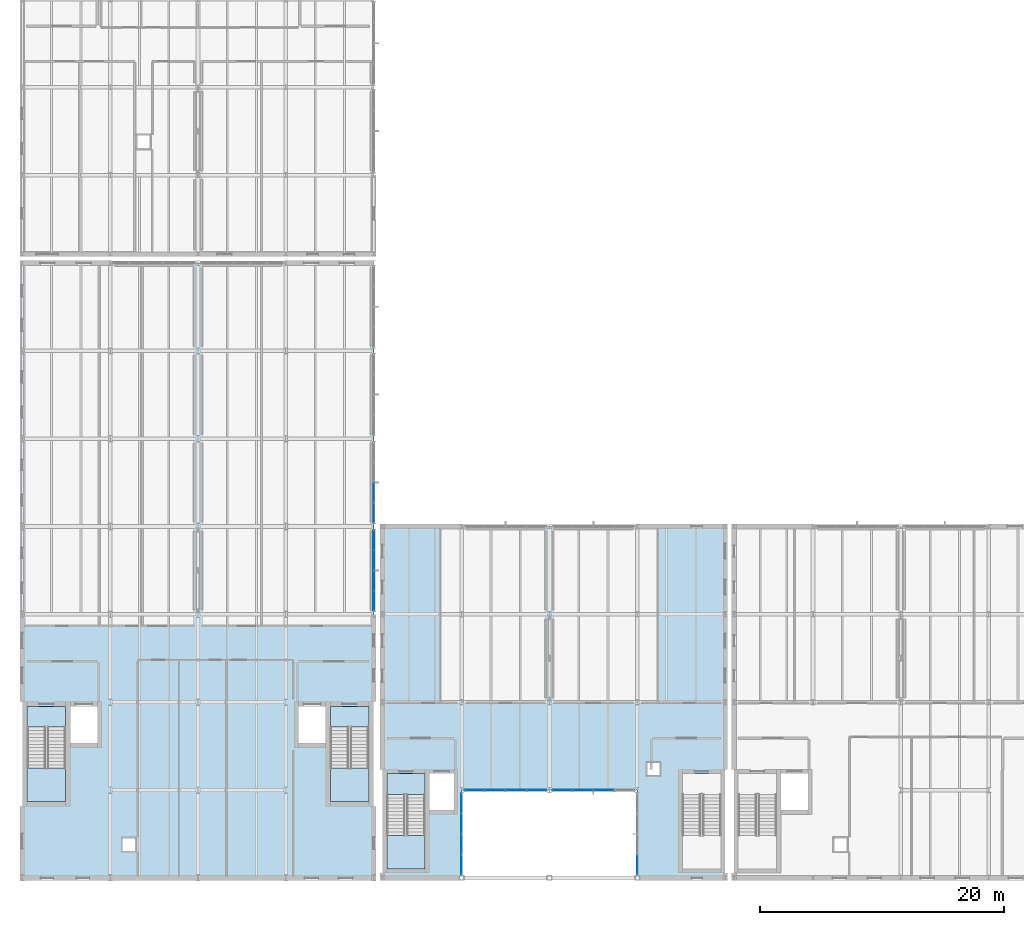
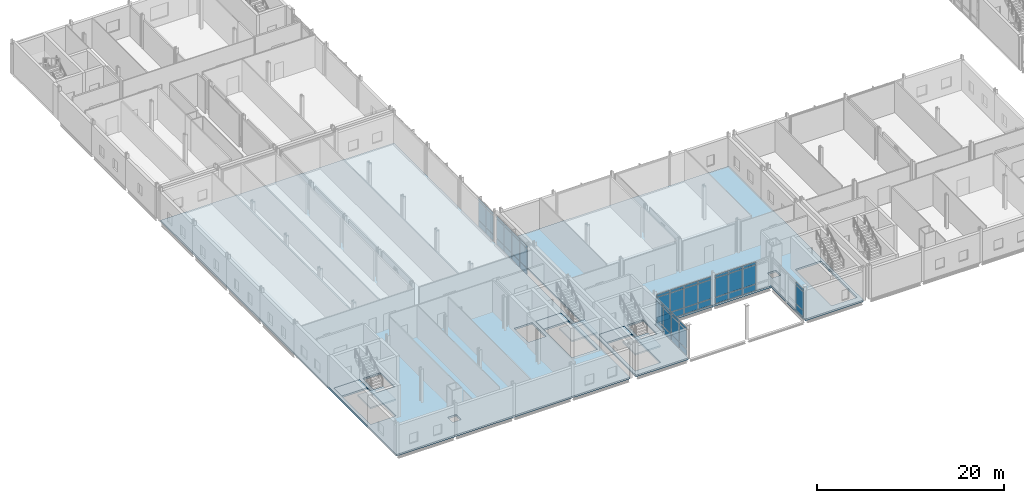
# One storey, part 35 of 76: 54 plates, 8 slabs, 9 elements without a shape of their own.
"""IFC4 building model written with IfcOpenShell, lengths in metres."""

import ifcopenshell
import ifcopenshell.guid

model = None  # the IFC model being written
_history = None  # IfcOwnerHistory: only IFC2X3 demands one
_inside = {}  # id of a spatial element -> (the spatial element, [elements in it])
_under = {}  # id of a project, library or spatial element -> (it, [spatial elements below it])
_declared = {}  # id of a project -> (the project, [libraries it declares])
_typed = {}  # id of a type object -> (the type object, [elements of that type])
_made_of = {}  # id of a material, layer set ... -> (it, [elements and type objects made of it])


def new_model(schema):
    """Start an empty IFC model of exactly this schema.

    Asked for "IFC4X3", IfcOpenShell would pick the latest addendum, in which some entities
    have other attributes; the version numbers below select the first issue.
    IFC2X3 requires an IfcOwnerHistory on every rooted entity: one is made here for all.
    """
    global model, _history
    if schema == "IFC4X3":
        model = ifcopenshell.file(schema_version=(4, 3, 0, 0))
    else:
        model = ifcopenshell.file(schema=schema)
    _inside.clear()
    _under.clear()
    _declared.clear()
    _typed.clear()
    _made_of.clear()
    _history = None
    if model.schema == "IFC2X3":
        org = make("IfcOrganization", Name="unknown")
        user = make(
            "IfcPersonAndOrganization",
            ThePerson=make("IfcPerson", FamilyName="unknown"),
            TheOrganization=org,
        )
        app = make(
            "IfcApplication",
            ApplicationDeveloper=org,
            Version="unknown",
            ApplicationFullName="unknown",
            ApplicationIdentifier="unknown",
        )
        _history = make(
            "IfcOwnerHistory",
            OwningUser=user,
            OwningApplication=app,
            ChangeAction="ADDED",
            CreationDate=0,
        )
    return model


def make(cls, **values):
    """One entity of the class cls with the attributes given. An attribute that is None is left unset."""
    return model.create_entity(
        cls, **{name: value for name, value in values.items() if value is not None}
    )


def rooted(cls, **values):
    """An entity with a GlobalId (a new one), such as an element, a storey or a relation."""
    return make(cls, GlobalId=ifcopenshell.guid.new(), OwnerHistory=_history, **values)


def si_unit(unit_type, name, prefix=None):
    """IfcSIUnit, for example si_unit("LENGTHUNIT", "METRE", prefix="MILLI")."""
    return make("IfcSIUnit", UnitType=unit_type, Prefix=prefix, Name=name)


def assignment(units):
    """IfcUnitAssignment: the units of a project."""
    return None if units is None else make("IfcUnitAssignment", Units=units)


def point(xyz):
    """IfcCartesianPoint."""
    return None if xyz is None else make("IfcCartesianPoint", Coordinates=xyz)


def direction(xyz):
    """IfcDirection."""
    return None if xyz is None else make("IfcDirection", DirectionRatios=xyz)


def frame(location, z_axis=None, x_axis=None):
    """IfcAxis2Placement3D, a coordinate frame: its origin and axes. An axis left out is left unset."""
    return make(
        "IfcAxis2Placement3D",
        Location=point(location),
        Axis=direction(z_axis),
        RefDirection=direction(x_axis),
    )


def frame_2d(location, x_axis=None):
    """IfcAxis2Placement2D, a coordinate frame in the plane: its origin and x axis."""
    return make(
        "IfcAxis2Placement2D", Location=point(location), RefDirection=direction(x_axis)
    )


def origin():
    """The frame at (0, 0, 0) with its axes left unset."""
    return frame((0.0, 0.0, 0.0))


def origin_2d():
    """The frame at (0, 0) in the plane with its x axis left unset."""
    return frame_2d((0.0, 0.0))


def place(relative_to, where):
    """IfcLocalPlacement: puts the frame where relative to a parent placement (None: the world)."""
    return make(
        "IfcLocalPlacement", PlacementRelTo=relative_to, RelativePlacement=where
    )


def context(
    kind, dimensions, precision=None, world=None, true_north=None, identifier=None
):
    """IfcGeometricRepresentationContext, for example the 3D "Model" context."""
    return make(
        "IfcGeometricRepresentationContext",
        ContextIdentifier=identifier,
        ContextType=kind,
        CoordinateSpaceDimension=dimensions,
        Precision=precision,
        WorldCoordinateSystem=world,
        TrueNorth=true_north,
    )


def subcontext(parent, identifier, kind, view, scale=None):
    """IfcGeometricRepresentationSubContext, for example "Body" below "Model"."""
    return make(
        "IfcGeometricRepresentationSubContext",
        ContextIdentifier=identifier,
        ContextType=kind,
        ParentContext=parent,
        TargetScale=scale,
        TargetView=view,
    )


def project(units=None, contexts=None):
    """IfcProject with its units and contexts."""
    return rooted(
        "IfcProject",
        Name="project",
        RepresentationContexts=contexts,
        UnitsInContext=assignment(units),
    )


def spatial(cls, under=None, at=None, **own):
    """A site, building, storey or space (cls), placed at a placement, below another one or the project."""
    s = rooted(cls, ObjectPlacement=at, **own)
    if under is not None:
        _under.setdefault(under.id(), (under, []))[1].append(s)
    return s


def polyline(points):
    """IfcPolyline through the points."""
    return make("IfcPolyline", Points=[point(p) for p in points])


def profile(cls, at=None, kind="AREA", **sizes):
    """A parametric profile (cls). Its sizes go by their IFC names, for example OverallWidth=200.0."""
    return make(cls, ProfileType=kind, Position=at, **sizes)


def rectangle(**sizes):
    """IfcRectangleProfileDef."""
    return profile("IfcRectangleProfileDef", **sizes)


def outline(outer, holes=None, kind="AREA"):
    """IfcArbitraryClosedProfileDef: a profile drawn as a closed curve; with holes, ...WithVoids."""
    if holes is None:
        return make("IfcArbitraryClosedProfileDef", ProfileType=kind, OuterCurve=outer)
    return make(
        "IfcArbitraryProfileDefWithVoids",
        ProfileType=kind,
        OuterCurve=outer,
        InnerCurves=holes,
    )


def extrude(swept, where, along, depth):
    """IfcExtrudedAreaSolid: the profile swept, set in the frame where, extruded along a direction by depth."""
    return make(
        "IfcExtrudedAreaSolid",
        SweptArea=swept,
        Position=where,
        ExtrudedDirection=direction(along),
        Depth=depth,
    )


def shape(context_of_items, identifier, shape_type, items):
    """IfcShapeRepresentation: the items that make up one representation, for example the "Body"."""
    return make(
        "IfcShapeRepresentation",
        ContextOfItems=context_of_items,
        RepresentationIdentifier=identifier,
        RepresentationType=shape_type,
        Items=items,
    )


def material(Name=None, Category=None):
    """IfcMaterial."""
    return make("IfcMaterial", Name=Name, Category=Category)


def layer(
    of_material, thickness, ventilated=None, Name=None, Category=None, Priority=None
):
    """IfcMaterialLayer: one layer of a wall or slab, of a material (None: an air gap)."""
    return make(
        "IfcMaterialLayer",
        Material=of_material,
        LayerThickness=thickness,
        IsVentilated=ventilated,
        Name=Name,
        Category=Category,
        Priority=Priority,
    )


def layer_set(layers, Name=None):
    """IfcMaterialLayerSet."""
    return make("IfcMaterialLayerSet", MaterialLayers=layers, LayerSetName=Name)


def made_of(thing, what):
    """Note that an element or type object is made of a material, layer set ...; save() writes the relation."""
    if what is not None:
        _made_of.setdefault(what.id(), (what, []))[1].append(thing)
    return thing


def type_object(cls, material=None, **own):
    """A type object (cls), such as IfcWallType, which elements share."""
    return made_of(rooted(cls, **own), material)


def element(
    cls,
    number,
    at=None,
    inside=None,
    cuts=None,
    type_object=None,
    material=None,
    context=None,
    identifier="Body",
    shape_type=None,
    held_by="IfcProductDefinitionShape",
    body=None,
    shapes=None,
    **own,
):
    """One element of the class cls, such as IfcWall. Its Tag is "e" and its number.

    at: its placement. inside: the storey or other place that contains it. cuts: it is an
    opening in that element (IfcRelVoidsElement). A single representation is given by context,
    identifier, shape_type and body (its items); several are given by shapes. held_by: the class
    of the entity that holds the representations. save() writes the other relations.
    """
    e = rooted(cls, Tag="e%d" % number, ObjectPlacement=at, **own)
    if body is not None:
        shapes = [shape(context, identifier, shape_type, body)]
    if shapes is not None:
        e.Representation = make(held_by, Representations=shapes)
    if inside is not None:
        _inside.setdefault(inside.id(), (inside, []))[1].append(e)
    if cuts is not None:
        rooted(
            "IfcRelVoidsElement", RelatingBuildingElement=cuts, RelatedOpeningElement=e
        )
    if type_object is not None:
        _typed.setdefault(type_object.id(), (type_object, []))[1].append(e)
    return made_of(e, material)


def aggregate(whole, parts):
    """IfcRelAggregates: a whole, such as a stair, and the parts it consists of."""
    return rooted("IfcRelAggregates", RelatingObject=whole, RelatedObjects=parts)


def save(model, path):
    """Write the relations noted so far, then the file.

    IfcRelAggregates (storeys below a building ...), IfcRelContainedInSpatialStructure (elements
    in a storey), IfcRelDefinesByType, IfcRelAssociatesMaterial and IfcRelDeclares: one each for
    every whole, place, type object, material and project.
    """
    for whole, parts in _under.values():
        aggregate(whole, parts)
    for where, things in _inside.values():
        rooted(
            "IfcRelContainedInSpatialStructure",
            RelatedElements=things,
            RelatingStructure=where,
        )
    for kind, things in _typed.values():
        rooted("IfcRelDefinesByType", RelatedObjects=things, RelatingType=kind)
    for what, things in _made_of.values():
        rooted("IfcRelAssociatesMaterial", RelatedObjects=things, RelatingMaterial=what)
    for by, libraries in _declared.values():
        rooted("IfcRelDeclares", RelatingContext=by, RelatedDefinitions=libraries)
    model.write(path)


model = new_model("IFC4")

# Units and contexts
model_context = context("Model", 3, precision=1e-05, world=origin(), true_north=direction((0.0, 1.0)))
body_context = subcontext(model_context, "Body", "Model", "MODEL_VIEW")
ifc_project = project(units=[si_unit("LENGTHUNIT", "METRE"), si_unit("AREAUNIT", "SQUARE_METRE"), si_unit("VOLUMEUNIT", "CUBIC_METRE"), si_unit("PLANEANGLEUNIT", "RADIAN"), si_unit("MASSUNIT", "GRAM", prefix="KILO")], contexts=[model_context])

# Site, building, storey
site_placement = place(None, origin())
site = spatial("IfcSite", under=ifc_project, at=site_placement, CompositionType="ELEMENT")
building_placement = place(site_placement, origin())
building = spatial("IfcBuilding", under=site, at=building_placement, Name="Zarrinpeak Specialist Clinic", CompositionType="ELEMENT")
storey_placement = place(building_placement, frame((0.0, 0.0, 5.199951171875)))
storey = spatial("IfcBuildingStorey", under=building, at=storey_placement, Name="L01", CompositionType="ELEMENT", Elevation=5.199951171875)

# Curtain wall, plates
ifc_material_1 = material(Name="Anodised Aluminium Alloy 6063-T6", Category="aluminium")
ifc_layer_1 = layer(ifc_material_1, 0.179931640625)
ifc_layer_set_1 = layer_set([ifc_layer_1], Name="Anodised Aluminium Alloy 6063-T6")
curtain_wall_type_1 = type_object("IfcCurtainWallType", Name="CW-COURT", PredefinedType="NOTDEFINED", material=ifc_layer_set_1)
curtain_wall_1_placement = place(storey_placement, origin())
curtain_wall_1 = element("IfcCurtainWall", 1, at=curtain_wall_1_placement, inside=storey, type_object=curtain_wall_type_1, Name="L01 V1 Unitised Curtain Wall CW-L01-V1-010", PredefinedType="NOTDEFINED")
ifc_material_2 = material(Name="Double Low-E Insulated Glazing", Category="glass")
ifc_layer_2 = layer(ifc_material_2, 0.028076171875)
ifc_layer_set_2 = layer_set([ifc_layer_2], Name="Double Low-E Insulated Glazing")
plate_type_1 = type_object("IfcPlateType", Name="CWP-GLZ28", PredefinedType="CURTAIN_PANEL", material=ifc_layer_set_2)
plate_1_placement = place(storey_placement, frame((28.800048828125, 29.925048828125, 0.074951171875), z_axis=(0.0, 0.0, 1.0), x_axis=(0.0, 1.0, 0.0)))
plate_1 = element("IfcPlate", 2, at=plate_1_placement, type_object=plate_type_1, Name="CW-01 panel 1.1", PredefinedType="CURTAIN_PANEL", context=body_context, shape_type="SweptSolid", body=[
    extrude(rectangle(XDim=1.550048828125, YDim=0.028076171875, at=origin_2d()), origin(), (0.0, 0.0, 1.0), 0.78759765625),
])
plate_2_placement = place(storey_placement, frame((28.800048828125, 29.925048828125, 0.9375), z_axis=(0.0, 0.0, 1.0), x_axis=(0.0, 1.0, 0.0)))
plate_2 = element("IfcPlate", 3, at=plate_2_placement, type_object=plate_type_1, Name="CW-01 panel 1.2", PredefinedType="CURTAIN_PANEL", context=body_context, shape_type="SweptSolid", body=[
    extrude(rectangle(XDim=1.550048828125, YDim=0.028076171875, at=origin_2d()), origin(), (0.0, 0.0, 1.0), 2.385009765625),
])
plate_3_placement = place(storey_placement, frame((28.800048828125, 29.925048828125, 3.397705078125), z_axis=(0.0, 0.0, 1.0), x_axis=(0.0, 1.0, 0.0)))
plate_3 = element("IfcPlate", 4, at=plate_3_placement, type_object=plate_type_1, Name="CW-01 panel 1.3", PredefinedType="CURTAIN_PANEL", context=body_context, shape_type="SweptSolid", body=[
    extrude(rectangle(XDim=1.550048828125, YDim=0.028076171875, at=origin_2d()), origin(), (0.0, 0.0, 1.0), 0.33740234375),
])
plate_4_placement = place(storey_placement, frame((28.800048828125, 31.56884765625, 0.074951171875), z_axis=(0.0, 0.0, 1.0), x_axis=(0.0, 1.0, 0.0)))
plate_4 = element("IfcPlate", 5, at=plate_4_placement, type_object=plate_type_1, Name="CW-01 panel 2.1", PredefinedType="CURTAIN_PANEL", context=body_context, shape_type="SweptSolid", body=[
    extrude(rectangle(XDim=1.58740234375, YDim=0.028076171875, at=origin_2d()), origin(), (0.0, 0.0, 1.0), 0.78759765625),
])
plate_5_placement = place(storey_placement, frame((28.800048828125, 31.56884765625, 0.9375), z_axis=(0.0, 0.0, 1.0), x_axis=(0.0, 1.0, 0.0)))
plate_5 = element("IfcPlate", 6, at=plate_5_placement, type_object=plate_type_1, Name="CW-01 panel 2.2", PredefinedType="CURTAIN_PANEL", context=body_context, shape_type="SweptSolid", body=[
    extrude(rectangle(XDim=1.58740234375, YDim=0.028076171875, at=origin_2d()), origin(), (0.0, 0.0, 1.0), 2.385009765625),
])
plate_6_placement = place(storey_placement, frame((28.800048828125, 31.56884765625, 3.397705078125), z_axis=(0.0, 0.0, 1.0), x_axis=(0.0, 1.0, 0.0)))
plate_6 = element("IfcPlate", 7, at=plate_6_placement, type_object=plate_type_1, Name="CW-01 panel 2.3", PredefinedType="CURTAIN_PANEL", context=body_context, shape_type="SweptSolid", body=[
    extrude(rectangle(XDim=1.58740234375, YDim=0.028076171875, at=origin_2d()), origin(), (0.0, 0.0, 1.0), 0.33740234375),
])
aggregate(curtain_wall_1, [plate_1, plate_2, plate_3, plate_4, plate_5, plate_6])

ifc_layer_3 = layer(ifc_material_1, 0.18994140625)
ifc_layer_set_3 = layer_set([ifc_layer_3], Name="Anodised Aluminium Alloy 6063-T6")
curtain_wall_type_2 = type_object("IfcCurtainWallType", Name="CW-LOGGIA", PredefinedType="NOTDEFINED", material=ifc_layer_set_3)
curtain_wall_2_placement = place(storey_placement, origin())
curtain_wall_2 = element("IfcCurtainWall", 8, at=curtain_wall_2_placement, inside=storey, type_object=curtain_wall_type_2, Name="L01 V2 Unitised Curtain Wall CW-L01-V2-046", PredefinedType="NOTDEFINED")
plate_7_placement = place(storey_placement, frame((44.253662109375, 7.199951171875, 0.09033203125), z_axis=(0.0, 0.0, 1.0), x_axis=(1.0, 0.0, 0.0)))
plate_7 = element("IfcPlate", 9, at=plate_7_placement, type_object=plate_type_1, Name="CW-04 panel 1.1", PredefinedType="CURTAIN_PANEL", context=body_context, shape_type="SweptSolid", body=[
    extrude(rectangle(XDim=1.577392578125, YDim=0.028076171875, at=origin_2d()), origin(), (0.0, 0.0, 1.0), 0.764892578125),
])
plate_8_placement = place(storey_placement, frame((44.253662109375, 7.199951171875, 0.945068359375), z_axis=(0.0, 0.0, 1.0), x_axis=(1.0, 0.0, 0.0)))
plate_8 = element("IfcPlate", 10, at=plate_8_placement, type_object=plate_type_1, Name="CW-04 panel 1.2", PredefinedType="CURTAIN_PANEL", context=body_context, shape_type="SweptSolid", body=[
    extrude(rectangle(XDim=1.577392578125, YDim=0.028076171875, at=origin_2d()), origin(), (0.0, 0.0, 1.0), 2.43994140625),
])
plate_9_placement = place(storey_placement, frame((44.253662109375, 7.199951171875, 3.47509765625), z_axis=(0.0, 0.0, 1.0), x_axis=(1.0, 0.0, 0.0)))
plate_9 = element("IfcPlate", 11, at=plate_9_placement, type_object=plate_type_1, Name="CW-04 panel 1.3", PredefinedType="CURTAIN_PANEL", context=body_context, shape_type="SweptSolid", body=[
    extrude(rectangle(XDim=1.577392578125, YDim=0.028076171875, at=origin_2d()), origin(), (0.0, 0.0, 1.0), 0.31494140625),
])
plate_10_placement = place(storey_placement, frame((45.94384765625, 7.199951171875, 0.09033203125), z_axis=(0.0, 0.0, 1.0), x_axis=(1.0, 0.0, 0.0)))
plate_10 = element("IfcPlate", 12, at=plate_10_placement, type_object=plate_type_1, Name="CW-04 panel 2.1", PredefinedType="CURTAIN_PANEL", context=body_context, shape_type="SweptSolid", body=[
    extrude(rectangle(XDim=1.62255859375, YDim=0.028076171875, at=origin_2d()), origin(), (0.0, 0.0, 1.0), 0.764892578125),
])
plate_11_placement = place(storey_placement, frame((45.94384765625, 7.199951171875, 0.945068359375), z_axis=(0.0, 0.0, 1.0), x_axis=(1.0, 0.0, 0.0)))
plate_11 = element("IfcPlate", 13, at=plate_11_placement, type_object=plate_type_1, Name="CW-04 panel 2.2", PredefinedType="CURTAIN_PANEL", context=body_context, shape_type="SweptSolid", body=[
    extrude(rectangle(XDim=1.62255859375, YDim=0.028076171875, at=origin_2d()), origin(), (0.0, 0.0, 1.0), 2.43994140625),
])
plate_12_placement = place(storey_placement, frame((45.94384765625, 7.199951171875, 3.47509765625), z_axis=(0.0, 0.0, 1.0), x_axis=(1.0, 0.0, 0.0)))
plate_12 = element("IfcPlate", 14, at=plate_12_placement, type_object=plate_type_1, Name="CW-04 panel 2.3", PredefinedType="CURTAIN_PANEL", context=body_context, shape_type="SweptSolid", body=[
    extrude(rectangle(XDim=1.62255859375, YDim=0.028076171875, at=origin_2d()), origin(), (0.0, 0.0, 1.0), 0.31494140625),
])
plate_13_placement = place(storey_placement, frame((47.65625, 7.199951171875, 0.09033203125), z_axis=(0.0, 0.0, 1.0), x_axis=(1.0, 0.0, 0.0)))
plate_13 = element("IfcPlate", 15, at=plate_13_placement, type_object=plate_type_1, Name="CW-04 panel 3.1", PredefinedType="CURTAIN_PANEL", context=body_context, shape_type="SweptSolid", body=[
    extrude(rectangle(XDim=1.62255859375, YDim=0.028076171875, at=origin_2d()), origin(), (0.0, 0.0, 1.0), 0.764892578125),
])
plate_14_placement = place(storey_placement, frame((47.65625, 7.199951171875, 0.945068359375), z_axis=(0.0, 0.0, 1.0), x_axis=(1.0, 0.0, 0.0)))
plate_14 = element("IfcPlate", 16, at=plate_14_placement, type_object=plate_type_1, Name="CW-04 panel 3.2", PredefinedType="CURTAIN_PANEL", context=body_context, shape_type="SweptSolid", body=[
    extrude(rectangle(XDim=1.62255859375, YDim=0.028076171875, at=origin_2d()), origin(), (0.0, 0.0, 1.0), 2.43994140625),
])
plate_15_placement = place(storey_placement, frame((47.65625, 7.199951171875, 3.47509765625), z_axis=(0.0, 0.0, 1.0), x_axis=(1.0, 0.0, 0.0)))
plate_15 = element("IfcPlate", 17, at=plate_15_placement, type_object=plate_type_1, Name="CW-04 panel 3.3", PredefinedType="CURTAIN_PANEL", context=body_context, shape_type="SweptSolid", body=[
    extrude(rectangle(XDim=1.62255859375, YDim=0.028076171875, at=origin_2d()), origin(), (0.0, 0.0, 1.0), 0.31494140625),
])
aggregate(curtain_wall_2, [plate_7, plate_8, plate_9, plate_10, plate_11, plate_12, plate_13, plate_14, plate_15])

curtain_wall_3_placement = place(storey_placement, origin())
curtain_wall_3 = element("IfcCurtainWall", 18, at=curtain_wall_3_placement, inside=storey, type_object=curtain_wall_type_2, Name="L01 V2 Unitised Curtain Wall CW-L01-V2-047", PredefinedType="NOTDEFINED")
plate_16_placement = place(storey_placement, frame((36.0, 1.093994140625, 0.09033203125), z_axis=(0.0, 0.0, 1.0), x_axis=(0.0, 1.0, 0.0)))
plate_16 = element("IfcPlate", 19, at=plate_16_placement, type_object=plate_type_1, Name="CW-04 panel 1.1", PredefinedType="CURTAIN_PANEL", context=body_context, shape_type="SweptSolid", body=[
    extrude(rectangle(XDim=1.5517578125, YDim=0.028076171875, at=origin_2d()), origin(), (0.0, 0.0, 1.0), 0.764892578125),
])
plate_17_placement = place(storey_placement, frame((36.0, 1.093994140625, 0.945068359375), z_axis=(0.0, 0.0, 1.0), x_axis=(0.0, 1.0, 0.0)))
plate_17 = element("IfcPlate", 20, at=plate_17_placement, type_object=plate_type_1, Name="CW-04 panel 1.2", PredefinedType="CURTAIN_PANEL", context=body_context, shape_type="SweptSolid", body=[
    extrude(rectangle(XDim=1.5517578125, YDim=0.028076171875, at=origin_2d()), origin(), (0.0, 0.0, 1.0), 2.3701171875),
])
plate_18_placement = place(storey_placement, frame((36.0, 1.093994140625, 3.405029296875), z_axis=(0.0, 0.0, 1.0), x_axis=(0.0, 1.0, 0.0)))
plate_18 = element("IfcPlate", 21, at=plate_18_placement, type_object=plate_type_1, Name="CW-04 panel 1.3", PredefinedType="CURTAIN_PANEL", context=body_context, shape_type="SweptSolid", body=[
    extrude(rectangle(XDim=1.5517578125, YDim=0.028076171875, at=origin_2d()), origin(), (0.0, 0.0, 1.0), 0.31494140625),
])
plate_19_placement = place(storey_placement, frame((36.0, 2.75830078125, 0.09033203125), z_axis=(0.0, 0.0, 1.0), x_axis=(0.0, 1.0, 0.0)))
plate_19 = element("IfcPlate", 22, at=plate_19_placement, type_object=plate_type_1, Name="CW-04 panel 2.1", PredefinedType="CURTAIN_PANEL", context=body_context, shape_type="SweptSolid", body=[
    extrude(rectangle(XDim=1.5966796875, YDim=0.028076171875, at=origin_2d()), origin(), (0.0, 0.0, 1.0), 0.764892578125),
])
plate_20_placement = place(storey_placement, frame((36.0, 2.75830078125, 0.945068359375), z_axis=(0.0, 0.0, 1.0), x_axis=(0.0, 1.0, 0.0)))
plate_20 = element("IfcPlate", 23, at=plate_20_placement, type_object=plate_type_1, Name="CW-04 panel 2.2", PredefinedType="CURTAIN_PANEL", context=body_context, shape_type="SweptSolid", body=[
    extrude(rectangle(XDim=1.5966796875, YDim=0.028076171875, at=origin_2d()), origin(), (0.0, 0.0, 1.0), 2.3701171875),
])
plate_21_placement = place(storey_placement, frame((36.0, 2.75830078125, 3.405029296875), z_axis=(0.0, 0.0, 1.0), x_axis=(0.0, 1.0, 0.0)))
plate_21 = element("IfcPlate", 24, at=plate_21_placement, type_object=plate_type_1, Name="CW-04 panel 2.3", PredefinedType="CURTAIN_PANEL", context=body_context, shape_type="SweptSolid", body=[
    extrude(rectangle(XDim=1.5966796875, YDim=0.028076171875, at=origin_2d()), origin(), (0.0, 0.0, 1.0), 0.31494140625),
])
plate_22_placement = place(storey_placement, frame((36.0, 4.445068359375, 0.09033203125), z_axis=(0.0, 0.0, 1.0), x_axis=(0.0, 1.0, 0.0)))
plate_22 = element("IfcPlate", 25, at=plate_22_placement, type_object=plate_type_1, Name="CW-04 panel 3.1", PredefinedType="CURTAIN_PANEL", context=body_context, shape_type="SweptSolid", body=[
    extrude(rectangle(XDim=1.5966796875, YDim=0.028076171875, at=origin_2d()), origin(), (0.0, 0.0, 1.0), 0.764892578125),
])
plate_23_placement = place(storey_placement, frame((36.0, 4.445068359375, 0.945068359375), z_axis=(0.0, 0.0, 1.0), x_axis=(0.0, 1.0, 0.0)))
plate_23 = element("IfcPlate", 26, at=plate_23_placement, type_object=plate_type_1, Name="CW-04 panel 3.2", PredefinedType="CURTAIN_PANEL", context=body_context, shape_type="SweptSolid", body=[
    extrude(rectangle(XDim=1.5966796875, YDim=0.028076171875, at=origin_2d()), origin(), (0.0, 0.0, 1.0), 2.3701171875),
])
plate_24_placement = place(storey_placement, frame((36.0, 4.445068359375, 3.405029296875), z_axis=(0.0, 0.0, 1.0), x_axis=(0.0, 1.0, 0.0)))
plate_24 = element("IfcPlate", 27, at=plate_24_placement, type_object=plate_type_1, Name="CW-04 panel 3.3", PredefinedType="CURTAIN_PANEL", context=body_context, shape_type="SweptSolid", body=[
    extrude(rectangle(XDim=1.5966796875, YDim=0.028076171875, at=origin_2d()), origin(), (0.0, 0.0, 1.0), 0.31494140625),
])
plate_25_placement = place(storey_placement, frame((36.0, 6.109130859375, 0.09033203125), z_axis=(0.0, 0.0, 1.0), x_axis=(0.0, 1.0, 0.0)))
plate_25 = element("IfcPlate", 28, at=plate_25_placement, type_object=plate_type_1, Name="CW-04 panel 4.1", PredefinedType="CURTAIN_PANEL", context=body_context, shape_type="SweptSolid", body=[
    extrude(rectangle(XDim=1.5517578125, YDim=0.028076171875, at=origin_2d()), origin(), (0.0, 0.0, 1.0), 0.764892578125),
])
plate_26_placement = place(storey_placement, frame((36.0, 6.109130859375, 0.945068359375), z_axis=(0.0, 0.0, 1.0), x_axis=(0.0, 1.0, 0.0)))
plate_26 = element("IfcPlate", 29, at=plate_26_placement, type_object=plate_type_1, Name="CW-04 panel 4.2", PredefinedType="CURTAIN_PANEL", context=body_context, shape_type="SweptSolid", body=[
    extrude(rectangle(XDim=1.5517578125, YDim=0.028076171875, at=origin_2d()), origin(), (0.0, 0.0, 1.0), 2.3701171875),
])
plate_27_placement = place(storey_placement, frame((36.0, 6.109130859375, 3.405029296875), z_axis=(0.0, 0.0, 1.0), x_axis=(0.0, 1.0, 0.0)))
plate_27 = element("IfcPlate", 30, at=plate_27_placement, type_object=plate_type_1, Name="CW-04 panel 4.3", PredefinedType="CURTAIN_PANEL", context=body_context, shape_type="SweptSolid", body=[
    extrude(rectangle(XDim=1.5517578125, YDim=0.028076171875, at=origin_2d()), origin(), (0.0, 0.0, 1.0), 0.31494140625),
])
aggregate(curtain_wall_3, [plate_16, plate_17, plate_18, plate_19, plate_20, plate_21, plate_22, plate_23, plate_24, plate_25, plate_26, plate_27])

curtain_wall_4_placement = place(storey_placement, origin())
curtain_wall_4 = element("IfcCurtainWall", 31, at=curtain_wall_4_placement, inside=storey, type_object=curtain_wall_type_2, Name="L01 V2 Unitised Curtain Wall CW-L01-V2-048", PredefinedType="NOTDEFINED")
plate_28_placement = place(storey_placement, frame((50.39990234375, 1.093994140625, 0.09033203125), z_axis=(0.0, 0.0, 1.0), x_axis=(0.0, -1.0, 0.0)))
plate_28 = element("IfcPlate", 32, at=plate_28_placement, type_object=plate_type_1, Name="CW-04 panel 4.1", PredefinedType="CURTAIN_PANEL", context=body_context, shape_type="SweptSolid", body=[
    extrude(rectangle(XDim=1.5517578125, YDim=0.028076171875, at=origin_2d()), origin(), (0.0, 0.0, 1.0), 0.764892578125),
])
plate_29_placement = place(storey_placement, frame((50.39990234375, 1.093994140625, 0.945068359375), z_axis=(0.0, 0.0, 1.0), x_axis=(0.0, -1.0, 0.0)))
plate_29 = element("IfcPlate", 33, at=plate_29_placement, type_object=plate_type_1, Name="CW-04 panel 4.2", PredefinedType="CURTAIN_PANEL", context=body_context, shape_type="SweptSolid", body=[
    extrude(rectangle(XDim=1.5517578125, YDim=0.028076171875, at=origin_2d()), origin(), (0.0, 0.0, 1.0), 2.3701171875),
])
plate_30_placement = place(storey_placement, frame((50.39990234375, 1.093994140625, 3.405029296875), z_axis=(0.0, 0.0, 1.0), x_axis=(0.0, -1.0, 0.0)))
plate_30 = element("IfcPlate", 34, at=plate_30_placement, type_object=plate_type_1, Name="CW-04 panel 4.3", PredefinedType="CURTAIN_PANEL", context=body_context, shape_type="SweptSolid", body=[
    extrude(rectangle(XDim=1.5517578125, YDim=0.028076171875, at=origin_2d()), origin(), (0.0, 0.0, 1.0), 0.31494140625),
])
aggregate(curtain_wall_4, [plate_28, plate_29, plate_30])

curtain_wall_5_placement = place(storey_placement, origin())
curtain_wall_5 = element("IfcCurtainWall", 35, at=curtain_wall_5_placement, inside=storey, type_object=curtain_wall_type_1, Name="L01 V1 Unitised Curtain Wall CW-L01-V1-009", PredefinedType="NOTDEFINED")
ifc_material_3 = material(Name="Insulated Aluminium Spandrel Panel", Category="aluminium")
ifc_layer_4 = layer(ifc_material_3, 0.044921875)
ifc_layer_set_4 = layer_set([ifc_layer_4], Name="Insulated Aluminium Spandrel Panel")
plate_type_2 = type_object("IfcPlateType", Name="CWP-SPN45", PredefinedType="CURTAIN_PANEL", material=ifc_layer_set_4)
plate_31_placement = place(storey_placement, frame((28.800048828125, 22.72509765625, 0.074951171875), z_axis=(0.0, 0.0, 1.0), x_axis=(0.0, 1.0, 0.0)))
plate_31 = element("IfcPlate", 36, at=plate_31_placement, type_object=plate_type_2, Name="CW-01 panel 1.1", PredefinedType="CURTAIN_PANEL", context=body_context, shape_type="SweptSolid", body=[
    extrude(rectangle(XDim=1.550048828125, YDim=0.044921875, at=origin_2d()), origin(), (0.0, 0.0, 1.0), 0.78759765625),
])
plate_32_placement = place(storey_placement, frame((28.800048828125, 22.72509765625, 0.9375), z_axis=(0.0, 0.0, 1.0), x_axis=(0.0, 1.0, 0.0)))
plate_32 = element("IfcPlate", 37, at=plate_32_placement, type_object=plate_type_2, Name="CW-01 panel 1.2", PredefinedType="CURTAIN_PANEL", context=body_context, shape_type="SweptSolid", body=[
    extrude(rectangle(XDim=1.550048828125, YDim=0.044921875, at=origin_2d()), origin(), (0.0, 0.0, 1.0), 2.455078125),
])
plate_33_placement = place(storey_placement, frame((28.800048828125, 22.72509765625, 3.467529296875), z_axis=(0.0, 0.0, 1.0), x_axis=(0.0, 1.0, 0.0)))
plate_33 = element("IfcPlate", 38, at=plate_33_placement, type_object=plate_type_2, Name="CW-01 panel 1.3", PredefinedType="CURTAIN_PANEL", context=body_context, shape_type="SweptSolid", body=[
    extrude(rectangle(XDim=1.550048828125, YDim=0.044921875, at=origin_2d()), origin(), (0.0, 0.0, 1.0), 0.33740234375),
])
plate_34_placement = place(storey_placement, frame((28.800048828125, 24.36865234375, 0.074951171875), z_axis=(0.0, 0.0, 1.0), x_axis=(0.0, 1.0, 0.0)))
plate_34 = element("IfcPlate", 39, at=plate_34_placement, type_object=plate_type_2, Name="CW-01 panel 2.1", PredefinedType="CURTAIN_PANEL", context=body_context, shape_type="SweptSolid", body=[
    extrude(rectangle(XDim=1.58740234375, YDim=0.044921875, at=origin_2d()), origin(), (0.0, 0.0, 1.0), 0.78759765625),
])
plate_35_placement = place(storey_placement, frame((28.800048828125, 24.36865234375, 0.9375), z_axis=(0.0, 0.0, 1.0), x_axis=(0.0, 1.0, 0.0)))
plate_35 = element("IfcPlate", 40, at=plate_35_placement, type_object=plate_type_2, Name="CW-01 panel 2.2", PredefinedType="CURTAIN_PANEL", context=body_context, shape_type="SweptSolid", body=[
    extrude(rectangle(XDim=1.58740234375, YDim=0.044921875, at=origin_2d()), origin(), (0.0, 0.0, 1.0), 2.455078125),
])
plate_36_placement = place(storey_placement, frame((28.800048828125, 24.36865234375, 3.467529296875), z_axis=(0.0, 0.0, 1.0), x_axis=(0.0, 1.0, 0.0)))
plate_36 = element("IfcPlate", 41, at=plate_36_placement, type_object=plate_type_2, Name="CW-01 panel 2.3", PredefinedType="CURTAIN_PANEL", context=body_context, shape_type="SweptSolid", body=[
    extrude(rectangle(XDim=1.58740234375, YDim=0.044921875, at=origin_2d()), origin(), (0.0, 0.0, 1.0), 0.33740234375),
])
plate_37_placement = place(storey_placement, frame((28.800048828125, 26.03125, 0.074951171875), z_axis=(0.0, 0.0, 1.0), x_axis=(0.0, 1.0, 0.0)))
plate_37 = element("IfcPlate", 42, at=plate_37_placement, type_object=plate_type_2, Name="CW-01 panel 3.1", PredefinedType="CURTAIN_PANEL", context=body_context, shape_type="SweptSolid", body=[
    extrude(rectangle(XDim=1.58740234375, YDim=0.044921875, at=origin_2d()), origin(), (0.0, 0.0, 1.0), 0.78759765625),
])
plate_38_placement = place(storey_placement, frame((28.800048828125, 26.03125, 0.9375), z_axis=(0.0, 0.0, 1.0), x_axis=(0.0, 1.0, 0.0)))
plate_38 = element("IfcPlate", 43, at=plate_38_placement, type_object=plate_type_2, Name="CW-01 panel 3.2", PredefinedType="CURTAIN_PANEL", context=body_context, shape_type="SweptSolid", body=[
    extrude(rectangle(XDim=1.58740234375, YDim=0.044921875, at=origin_2d()), origin(), (0.0, 0.0, 1.0), 2.455078125),
])
plate_39_placement = place(storey_placement, frame((28.800048828125, 26.03125, 3.467529296875), z_axis=(0.0, 0.0, 1.0), x_axis=(0.0, 1.0, 0.0)))
plate_39 = element("IfcPlate", 44, at=plate_39_placement, type_object=plate_type_2, Name="CW-01 panel 3.3", PredefinedType="CURTAIN_PANEL", context=body_context, shape_type="SweptSolid", body=[
    extrude(rectangle(XDim=1.58740234375, YDim=0.044921875, at=origin_2d()), origin(), (0.0, 0.0, 1.0), 0.33740234375),
])
plate_40_placement = place(storey_placement, frame((28.800048828125, 27.675048828125, 0.074951171875), z_axis=(0.0, 0.0, 1.0), x_axis=(0.0, 1.0, 0.0)))
plate_40 = element("IfcPlate", 45, at=plate_40_placement, type_object=plate_type_2, Name="CW-01 panel 4.1", PredefinedType="CURTAIN_PANEL", context=body_context, shape_type="SweptSolid", body=[
    extrude(rectangle(XDim=1.550048828125, YDim=0.044921875, at=origin_2d()), origin(), (0.0, 0.0, 1.0), 0.78759765625),
])
plate_41_placement = place(storey_placement, frame((28.800048828125, 27.675048828125, 0.9375), z_axis=(0.0, 0.0, 1.0), x_axis=(0.0, 1.0, 0.0)))
plate_41 = element("IfcPlate", 46, at=plate_41_placement, type_object=plate_type_2, Name="CW-01 panel 4.2", PredefinedType="CURTAIN_PANEL", context=body_context, shape_type="SweptSolid", body=[
    extrude(rectangle(XDim=1.550048828125, YDim=0.044921875, at=origin_2d()), origin(), (0.0, 0.0, 1.0), 2.455078125),
])
plate_42_placement = place(storey_placement, frame((28.800048828125, 27.675048828125, 3.467529296875), z_axis=(0.0, 0.0, 1.0), x_axis=(0.0, 1.0, 0.0)))
plate_42 = element("IfcPlate", 47, at=plate_42_placement, type_object=plate_type_2, Name="CW-01 panel 4.3", PredefinedType="CURTAIN_PANEL", context=body_context, shape_type="SweptSolid", body=[
    extrude(rectangle(XDim=1.550048828125, YDim=0.044921875, at=origin_2d()), origin(), (0.0, 0.0, 1.0), 0.33740234375),
])
aggregate(curtain_wall_5, [plate_31, plate_32, plate_33, plate_34, plate_35, plate_36, plate_37, plate_38, plate_39, plate_40, plate_41, plate_42])

curtain_wall_6_placement = place(storey_placement, origin())
curtain_wall_6 = element("IfcCurtainWall", 48, at=curtain_wall_6_placement, inside=storey, type_object=curtain_wall_type_2, Name="L01 V2 Unitised Curtain Wall CW-L01-V2-045", PredefinedType="NOTDEFINED")
plate_43_placement = place(storey_placement, frame((37.0537109375, 7.199951171875, 0.09033203125), z_axis=(0.0, 0.0, 1.0), x_axis=(1.0, 0.0, 0.0)))
plate_43 = element("IfcPlate", 49, at=plate_43_placement, type_object=plate_type_2, Name="CW-04 panel 1.1", PredefinedType="CURTAIN_PANEL", context=body_context, shape_type="SweptSolid", body=[
    extrude(rectangle(XDim=1.577392578125, YDim=0.044921875, at=origin_2d()), origin(), (0.0, 0.0, 1.0), 0.764892578125),
])
plate_44_placement = place(storey_placement, frame((37.0537109375, 7.199951171875, 0.945068359375), z_axis=(0.0, 0.0, 1.0), x_axis=(1.0, 0.0, 0.0)))
plate_44 = element("IfcPlate", 50, at=plate_44_placement, type_object=plate_type_2, Name="CW-04 panel 1.2", PredefinedType="CURTAIN_PANEL", context=body_context, shape_type="SweptSolid", body=[
    extrude(rectangle(XDim=1.577392578125, YDim=0.044921875, at=origin_2d()), origin(), (0.0, 0.0, 1.0), 2.43994140625),
])
plate_45_placement = place(storey_placement, frame((37.0537109375, 7.199951171875, 3.47509765625), z_axis=(0.0, 0.0, 1.0), x_axis=(1.0, 0.0, 0.0)))
plate_45 = element("IfcPlate", 51, at=plate_45_placement, type_object=plate_type_2, Name="CW-04 panel 1.3", PredefinedType="CURTAIN_PANEL", context=body_context, shape_type="SweptSolid", body=[
    extrude(rectangle(XDim=1.577392578125, YDim=0.044921875, at=origin_2d()), origin(), (0.0, 0.0, 1.0), 0.31494140625),
])
plate_46_placement = place(storey_placement, frame((38.74365234375, 7.199951171875, 0.09033203125), z_axis=(0.0, 0.0, 1.0), x_axis=(1.0, 0.0, 0.0)))
plate_46 = element("IfcPlate", 52, at=plate_46_placement, type_object=plate_type_2, Name="CW-04 panel 2.1", PredefinedType="CURTAIN_PANEL", context=body_context, shape_type="SweptSolid", body=[
    extrude(rectangle(XDim=1.62255859375, YDim=0.044921875, at=origin_2d()), origin(), (0.0, 0.0, 1.0), 0.764892578125),
])
plate_47_placement = place(storey_placement, frame((38.74365234375, 7.199951171875, 0.945068359375), z_axis=(0.0, 0.0, 1.0), x_axis=(1.0, 0.0, 0.0)))
plate_47 = element("IfcPlate", 53, at=plate_47_placement, type_object=plate_type_2, Name="CW-04 panel 2.2", PredefinedType="CURTAIN_PANEL", context=body_context, shape_type="SweptSolid", body=[
    extrude(rectangle(XDim=1.62255859375, YDim=0.044921875, at=origin_2d()), origin(), (0.0, 0.0, 1.0), 2.43994140625),
])
plate_48_placement = place(storey_placement, frame((38.74365234375, 7.199951171875, 3.47509765625), z_axis=(0.0, 0.0, 1.0), x_axis=(1.0, 0.0, 0.0)))
plate_48 = element("IfcPlate", 54, at=plate_48_placement, type_object=plate_type_2, Name="CW-04 panel 2.3", PredefinedType="CURTAIN_PANEL", context=body_context, shape_type="SweptSolid", body=[
    extrude(rectangle(XDim=1.62255859375, YDim=0.044921875, at=origin_2d()), origin(), (0.0, 0.0, 1.0), 0.31494140625),
])
plate_49_placement = place(storey_placement, frame((40.456298828125, 7.199951171875, 0.09033203125), z_axis=(0.0, 0.0, 1.0), x_axis=(1.0, 0.0, 0.0)))
plate_49 = element("IfcPlate", 55, at=plate_49_placement, type_object=plate_type_2, Name="CW-04 panel 3.1", PredefinedType="CURTAIN_PANEL", context=body_context, shape_type="SweptSolid", body=[
    extrude(rectangle(XDim=1.62255859375, YDim=0.044921875, at=origin_2d()), origin(), (0.0, 0.0, 1.0), 0.764892578125),
])
plate_50_placement = place(storey_placement, frame((40.456298828125, 7.199951171875, 0.945068359375), z_axis=(0.0, 0.0, 1.0), x_axis=(1.0, 0.0, 0.0)))
plate_50 = element("IfcPlate", 56, at=plate_50_placement, type_object=plate_type_2, Name="CW-04 panel 3.2", PredefinedType="CURTAIN_PANEL", context=body_context, shape_type="SweptSolid", body=[
    extrude(rectangle(XDim=1.62255859375, YDim=0.044921875, at=origin_2d()), origin(), (0.0, 0.0, 1.0), 2.43994140625),
])
plate_51_placement = place(storey_placement, frame((40.456298828125, 7.199951171875, 3.47509765625), z_axis=(0.0, 0.0, 1.0), x_axis=(1.0, 0.0, 0.0)))
plate_51 = element("IfcPlate", 57, at=plate_51_placement, type_object=plate_type_2, Name="CW-04 panel 3.3", PredefinedType="CURTAIN_PANEL", context=body_context, shape_type="SweptSolid", body=[
    extrude(rectangle(XDim=1.62255859375, YDim=0.044921875, at=origin_2d()), origin(), (0.0, 0.0, 1.0), 0.31494140625),
])
plate_52_placement = place(storey_placement, frame((42.146240234375, 7.199951171875, 0.09033203125), z_axis=(0.0, 0.0, 1.0), x_axis=(1.0, 0.0, 0.0)))
plate_52 = element("IfcPlate", 58, at=plate_52_placement, type_object=plate_type_2, Name="CW-04 panel 4.1", PredefinedType="CURTAIN_PANEL", context=body_context, shape_type="SweptSolid", body=[
    extrude(rectangle(XDim=1.577392578125, YDim=0.044921875, at=origin_2d()), origin(), (0.0, 0.0, 1.0), 0.764892578125),
])
plate_53_placement = place(storey_placement, frame((42.146240234375, 7.199951171875, 0.945068359375), z_axis=(0.0, 0.0, 1.0), x_axis=(1.0, 0.0, 0.0)))
plate_53 = element("IfcPlate", 59, at=plate_53_placement, type_object=plate_type_2, Name="CW-04 panel 4.2", PredefinedType="CURTAIN_PANEL", context=body_context, shape_type="SweptSolid", body=[
    extrude(rectangle(XDim=1.577392578125, YDim=0.044921875, at=origin_2d()), origin(), (0.0, 0.0, 1.0), 2.43994140625),
])
plate_54_placement = place(storey_placement, frame((42.146240234375, 7.199951171875, 3.47509765625), z_axis=(0.0, 0.0, 1.0), x_axis=(1.0, 0.0, 0.0)))
plate_54 = element("IfcPlate", 60, at=plate_54_placement, type_object=plate_type_2, Name="CW-04 panel 4.3", PredefinedType="CURTAIN_PANEL", context=body_context, shape_type="SweptSolid", body=[
    extrude(rectangle(XDim=1.577392578125, YDim=0.044921875, at=origin_2d()), origin(), (0.0, 0.0, 1.0), 0.31494140625),
])
aggregate(curtain_wall_6, [plate_43, plate_44, plate_45, plate_46, plate_47, plate_48, plate_49, plate_50, plate_51, plate_52, plate_53, plate_54])

# Slabs
ifc_material_4 = material(Name="Concrete C35/45", Category="concrete")
ifc_layer_5 = layer(ifc_material_4, 0.22998046875)
ifc_layer_set_5 = layer_set([ifc_layer_5], Name="Concrete C35/45")
slab_type_1 = type_object("IfcSlabType", Name="SL-FLR230", PredefinedType="FLOOR", material=ifc_layer_set_5)
slab_1_placement = place(storey_placement, frame((0.0, 0.0, -0.22998046875)))
element("IfcSlab", 61, at=slab_1_placement, inside=storey, type_object=slab_type_1, Name="L01 Suspended Clinical Floor Slab V1", PredefinedType="FLOOR", context=body_context, shape_type="SweptSolid", body=[
    extrude(outline(polyline([(0.0, 0.0), (28.800048828125, 0.0), (28.800048828125, 50.39990234375), (0.0, 50.39990234375), (0.0, 0.0)]), holes=[polyline([(0.39990234375, 6.25), (3.550048828125, 6.25), (3.550048828125, 14.050048828125), (0.39990234375, 14.050048828125), (0.39990234375, 6.25)]), polyline([(3.949951171875, 11.050048828125), (6.14990234375, 11.050048828125), (6.14990234375, 14.050048828125), (3.949951171875, 14.050048828125), (3.949951171875, 11.050048828125)]), polyline([(25.25, 6.25), (28.39990234375, 6.25), (28.39990234375, 14.050048828125), (25.25, 14.050048828125), (25.25, 6.25)]), polyline([(22.64990234375, 11.050048828125), (24.85009765625, 11.050048828125), (24.85009765625, 14.050048828125), (22.64990234375, 14.050048828125), (22.64990234375, 11.050048828125)]), polyline([(8.199951171875, 2.199951171875), (9.25, 2.199951171875), (9.25, 3.25), (8.199951171875, 3.25), (8.199951171875, 2.199951171875)])]), origin(), (0.0, 0.0, 1.0), 0.22998046875),
])
slab_2_placement = place(storey_placement, frame((0.0, 0.0, -0.22998046875)))
element("IfcSlab", 62, at=slab_2_placement, inside=storey, type_object=slab_type_1, Name="L01 Core C01 Stairwell Floor Landing Slab", PredefinedType="FLOOR", context=body_context, shape_type="SweptSolid", body=[
    extrude(outline(polyline([(0.39990234375, 12.35009765625), (3.550048828125, 12.35009765625), (3.550048828125, 14.050048828125), (0.39990234375, 14.050048828125), (0.39990234375, 12.35009765625)])), origin(), (0.0, 0.0, 1.0), 0.22998046875),
])
slab_3_placement = place(storey_placement, frame((0.0, 0.0, -0.22998046875)))
element("IfcSlab", 63, at=slab_3_placement, inside=storey, type_object=slab_type_1, Name="L01 Core C02 Stairwell Floor Landing Slab", PredefinedType="FLOOR", context=body_context, shape_type="SweptSolid", body=[
    extrude(outline(polyline([(25.25, 12.35009765625), (28.39990234375, 12.35009765625), (28.39990234375, 14.050048828125), (25.25, 14.050048828125), (25.25, 12.35009765625)])), origin(), (0.0, 0.0, 1.0), 0.22998046875),
])
slab_4_placement = place(storey_placement, frame((0.0, 0.0, -0.22998046875)))
element("IfcSlab", 64, at=slab_4_placement, inside=storey, type_object=slab_type_1, Name="L01 Suspended Clinical Floor Slab V2", PredefinedType="FLOOR", context=body_context, shape_type="SweptSolid", body=[
    extrude(outline(polyline([(29.52001953125, 0.0), (36.0, 0.0), (36.0, 7.199951171875), (50.39990234375, 7.199951171875), (50.39990234375, 0.0), (57.60009765625, 0.0), (57.60009765625, 28.800048828125), (29.52001953125, 28.800048828125), (29.52001953125, 0.0)]), holes=[polyline([(29.8701171875, 0.75), (33.02001953125, 0.75), (33.02001953125, 8.550048828125), (29.8701171875, 8.550048828125), (29.8701171875, 0.75)]), polyline([(33.3701171875, 5.550048828125), (35.3701171875, 5.550048828125), (35.3701171875, 8.550048828125), (33.3701171875, 8.550048828125), (33.3701171875, 5.550048828125)]), polyline([(54.10009765625, 0.75), (57.25, 0.75), (57.25, 8.550048828125), (54.10009765625, 8.550048828125), (54.10009765625, 0.75)]), polyline([(51.199951171875, 8.39990234375), (52.25, 8.39990234375), (52.25, 9.449951171875), (51.199951171875, 9.449951171875), (51.199951171875, 8.39990234375)])]), origin(), (0.0, 0.0, 1.0), 0.22998046875),
])
slab_5_placement = place(storey_placement, frame((0.0, 0.0, -0.22998046875)))
element("IfcSlab", 65, at=slab_5_placement, inside=storey, type_object=slab_type_1, Name="L01 Core C03 Stairwell Floor Landing Slab", PredefinedType="FLOOR", context=body_context, shape_type="SweptSolid", body=[
    extrude(outline(polyline([(29.8701171875, 6.85009765625), (33.02001953125, 6.85009765625), (33.02001953125, 8.550048828125), (29.8701171875, 8.550048828125), (29.8701171875, 6.85009765625)])), origin(), (0.0, 0.0, 1.0), 0.22998046875),
])

# Stair, slab
stair_type = type_object("IfcStairType", Name="ST-DOG", PredefinedType="HALF_TURN_STAIR", material=ifc_material_4)
stair_1_placement = place(storey_placement, origin())
stair_1 = element("IfcStair", 66, at=stair_1_placement, inside=storey, type_object=stair_type, Name="L01 Protected Exit Stair ST-01", PredefinedType="HALF_TURN_STAIR")
ifc_layer_6 = layer(ifc_material_4, 0.199951171875)
ifc_layer_set_6 = layer_set([ifc_layer_6], Name="Concrete C35/45")
slab_type_2 = type_object("IfcSlabType", Name="SL-LAND200", PredefinedType="LANDING", material=ifc_layer_set_6)
slab_6_placement = place(storey_placement, frame((0.0, 0.0, 2.0)))
slab_6 = element("IfcSlab", 67, at=slab_6_placement, type_object=slab_type_2, Name="ST-01 landing 1", PredefinedType="LANDING", context=body_context, shape_type="SweptSolid", body=[
    extrude(outline(polyline([(0.39990234375, 8.989990234375), (0.39990234375, 6.25), (3.550048828125, 6.25), (3.550048828125, 8.989990234375), (0.39990234375, 8.989990234375)])), origin(), (0.0, 0.0, 1.0), 0.199951171875),
])
aggregate(stair_1, [slab_6])

stair_2_placement = place(storey_placement, origin())
stair_2 = element("IfcStair", 68, at=stair_2_placement, inside=storey, type_object=stair_type, Name="L01 Protected Exit Stair ST-02", PredefinedType="HALF_TURN_STAIR")
slab_7_placement = place(storey_placement, frame((0.0, 0.0, 2.0)))
slab_7 = element("IfcSlab", 69, at=slab_7_placement, type_object=slab_type_2, Name="ST-02 landing 1", PredefinedType="LANDING", context=body_context, shape_type="SweptSolid", body=[
    extrude(outline(polyline([(25.25, 8.989990234375), (25.25, 6.25), (28.39990234375, 6.25), (28.39990234375, 8.989990234375), (25.25, 8.989990234375)])), origin(), (0.0, 0.0, 1.0), 0.199951171875),
])
aggregate(stair_2, [slab_7])

stair_3_placement = place(storey_placement, origin())
stair_3 = element("IfcStair", 70, at=stair_3_placement, inside=storey, type_object=stair_type, Name="L01 Protected Exit Stair ST-03", PredefinedType="HALF_TURN_STAIR")
slab_8_placement = place(storey_placement, frame((0.0, 0.0, 2.0)))
slab_8 = element("IfcSlab", 71, at=slab_8_placement, type_object=slab_type_2, Name="ST-03 landing 1", PredefinedType="LANDING", context=body_context, shape_type="SweptSolid", body=[
    extrude(outline(polyline([(29.8701171875, 3.489990234375), (29.8701171875, 0.75), (33.02001953125, 0.75), (33.02001953125, 3.489990234375), (29.8701171875, 3.489990234375)])), origin(), (0.0, 0.0, 1.0), 0.199951171875),
])
aggregate(stair_3, [slab_8])

save(model, "model.ifc")
